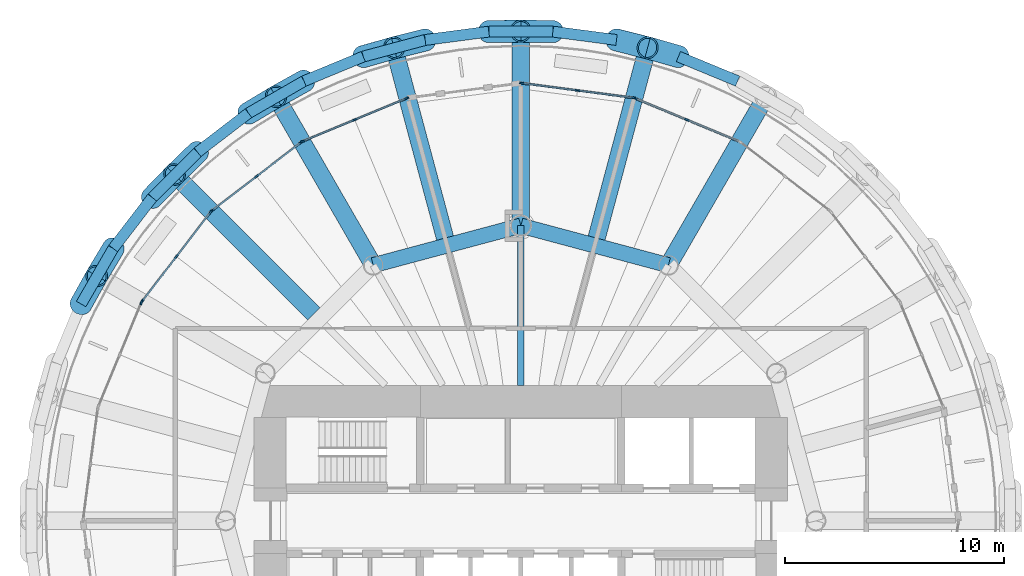
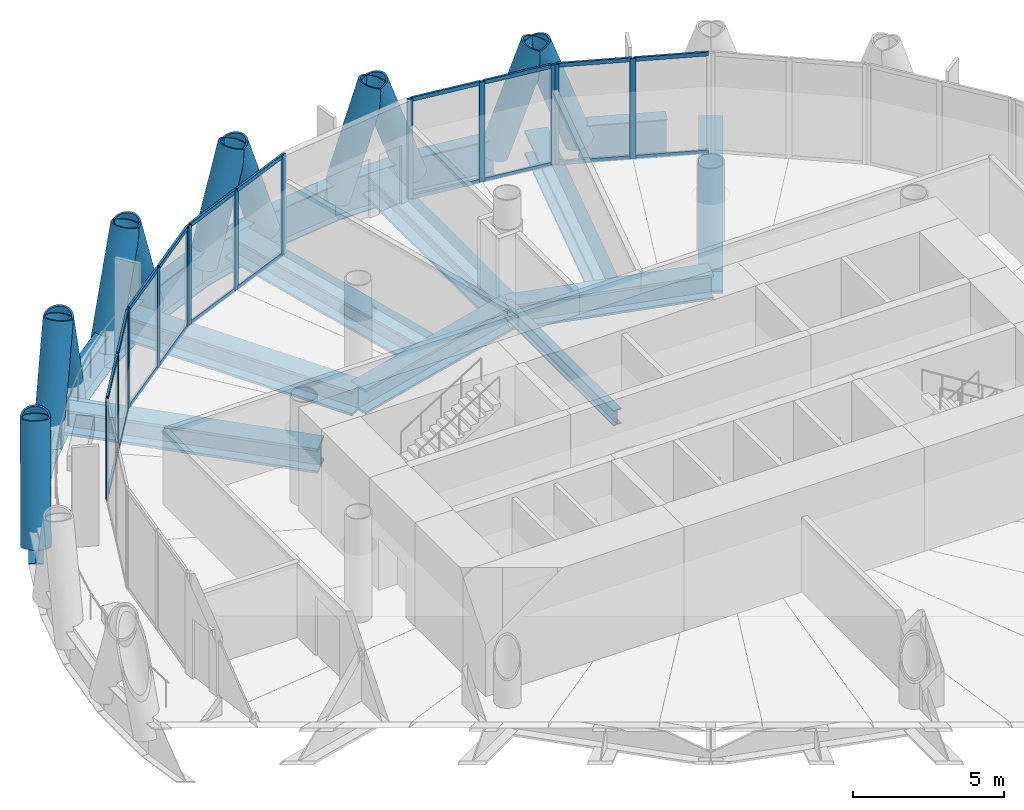
# One storey, part 5 of 14: 47 members, 20 beams, 6 elements without a shape of their own.
"""IFC4 building model written with IfcOpenShell, lengths in metres."""

from ifc_helpers import new_model, si_unit, direction, frame, origin, origin_2d, place, context, subcontext, project, spatial, rectangle, hollow_circle, i_section, extrude, material, material_profile, profile_set, type_object, element, aggregate, save


model = new_model("IFC4")

# Units and contexts
model_context = context("Model", 3, precision=1e-05, world=origin(), true_north=direction((0.0, 1.0)))
body_context = subcontext(model_context, "Body", "Model", "MODEL_VIEW")
ifc_project = project(units=[si_unit("LENGTHUNIT", "METRE"), si_unit("AREAUNIT", "SQUARE_METRE"), si_unit("VOLUMEUNIT", "CUBIC_METRE"), si_unit("PLANEANGLEUNIT", "RADIAN"), si_unit("MASSUNIT", "GRAM", prefix="KILO")], contexts=[model_context])

# Site, building, storey
site_placement = place(None, origin())
site = spatial("IfcSite", under=ifc_project, at=site_placement, CompositionType="ELEMENT")
building_placement = place(site_placement, origin())
building = spatial("IfcBuilding", under=site, at=building_placement, Name="Qaws Media Tower", CompositionType="ELEMENT")
storey_placement = place(building_placement, frame((0.0, 0.0, 240.199951171875)))
storey = spatial("IfcBuildingStorey", under=building, at=storey_placement, Name="L55", CompositionType="ELEMENT", Elevation=240.199951171875)

# Curtain wall, members
ifc_material_1 = material(Name="Aluminium and clear glass", Category="aluminium")
curtain_wall_type = type_object("IfcCurtainWallType", Name="Unitised curtain wall CW-C", PredefinedType="NOTDEFINED", material=ifc_material_1)
curtain_wall_1_placement = place(storey_placement, origin())
curtain_wall_1 = element("IfcCurtainWall", 1, at=curtain_wall_1_placement, inside=storey, type_object=curtain_wall_type, Name="CWC curtain wall L55-05", PredefinedType="NOTDEFINED")
ifc_material_2 = material(Name="Aluminium mullion", Category="aluminium")
ifc_material_profile_1 = material_profile(ifc_material_2, rectangle(XDim=0.080078125, YDim=0.199951171875, at=origin_2d()), Name="80x200")
ifc_profile_set_1 = profile_set([ifc_material_profile_1], Name="Aluminium mullion")
member_type_1 = type_object("IfcMemberType", Name="Curtain wall mullion 80x200", PredefinedType="MULLION", material=ifc_profile_set_1)
member_1_placement = place(storey_placement, frame((67.59765625, 68.342529296875, 0.0), z_axis=(0.0, 0.0, 1.0), x_axis=(-0.382683413209, -0.923879540446, 0.0)))
member_1 = element("IfcMember", 2, at=member_1_placement, type_object=member_type_1, Name="CWC mullion 2", PredefinedType="MULLION", context=body_context, shape_type="SweptSolid", body=[
    extrude(rectangle(XDim=0.080078125, YDim=0.199951171875, at=origin_2d()), origin(), (0.0, 0.0, 1.0), 4.0400390625),
])
member_2_placement = place(storey_placement, frame((65.2197265625, 69.327392578125, 0.0), z_axis=(0.0, 0.0, 1.0), x_axis=(-0.382683413209, -0.923879540446, 0.0)))
member_2 = element("IfcMember", 3, at=member_2_placement, type_object=member_type_1, Name="CWC mullion 3", PredefinedType="MULLION", context=body_context, shape_type="SweptSolid", body=[
    extrude(rectangle(XDim=0.080078125, YDim=0.199951171875, at=origin_2d()), origin(), (0.0, 0.0, 1.0), 4.0400390625),
])

curtain_wall_2_placement = place(storey_placement, origin())
curtain_wall_2 = element("IfcCurtainWall", 4, at=curtain_wall_2_placement, inside=storey, type_object=curtain_wall_type, Name="CWC curtain wall L55-06", PredefinedType="NOTDEFINED")
member_3_placement = place(storey_placement, frame((65.143310546875, 69.347900390625, 0.0), z_axis=(0.0, 0.0, 1.0), x_axis=(-0.130526139806, -0.991444868274, 0.0)))
member_3 = element("IfcMember", 5, at=member_3_placement, type_object=member_type_1, Name="CWC mullion 1", PredefinedType="MULLION", context=body_context, shape_type="SweptSolid", body=[
    extrude(rectangle(XDim=0.080078125, YDim=0.199951171875, at=origin_2d()), origin(), (0.0, 0.0, 1.0), 4.0400390625),
])
member_4_placement = place(storey_placement, frame((62.59130859375, 69.683837890625, 0.0), z_axis=(0.0, 0.0, 1.0), x_axis=(-0.130526139806, -0.991444868274, 0.0)))
member_4 = element("IfcMember", 6, at=member_4_placement, type_object=member_type_1, Name="CWC mullion 2", PredefinedType="MULLION", context=body_context, shape_type="SweptSolid", body=[
    extrude(rectangle(XDim=0.080078125, YDim=0.199951171875, at=origin_2d()), origin(), (0.0, 0.0, 1.0), 4.0400390625),
])
member_5_placement = place(storey_placement, frame((60.03955078125, 70.019775390625, 0.0), z_axis=(0.0, 0.0, 1.0), x_axis=(-0.130526139806, -0.991444868274, 0.0)))
member_5 = element("IfcMember", 7, at=member_5_placement, type_object=member_type_1, Name="CWC mullion 3", PredefinedType="MULLION", context=body_context, shape_type="SweptSolid", body=[
    extrude(rectangle(XDim=0.080078125, YDim=0.199951171875, at=origin_2d()), origin(), (0.0, 0.0, 1.0), 4.0400390625),
])

curtain_wall_3_placement = place(storey_placement, origin())
curtain_wall_3 = element("IfcCurtainWall", 8, at=curtain_wall_3_placement, inside=storey, type_object=curtain_wall_type, Name="CWC curtain wall L55-08", PredefinedType="NOTDEFINED")
member_6_placement = place(storey_placement, frame((54.7802734375, 69.327392578125, 0.0), z_axis=(0.0, 0.0, 1.0), x_axis=(0.382683413209, -0.923879540446, 0.0)))
member_6 = element("IfcMember", 9, at=member_6_placement, type_object=member_type_1, Name="CWC mullion 1", PredefinedType="MULLION", context=body_context, shape_type="SweptSolid", body=[
    extrude(rectangle(XDim=0.080078125, YDim=0.199951171875, at=origin_2d()), origin(), (0.0, 0.0, 1.0), 4.0400390625),
])
member_7_placement = place(storey_placement, frame((52.40234375, 68.342529296875, 0.0), z_axis=(0.0, 0.0, 1.0), x_axis=(0.382683413209, -0.923879540446, 0.0)))
member_7 = element("IfcMember", 10, at=member_7_placement, type_object=member_type_1, Name="CWC mullion 2", PredefinedType="MULLION", context=body_context, shape_type="SweptSolid", body=[
    extrude(rectangle(XDim=0.080078125, YDim=0.199951171875, at=origin_2d()), origin(), (0.0, 0.0, 1.0), 4.0400390625),
])
member_8_placement = place(storey_placement, frame((50.0244140625, 67.357421875, 0.0), z_axis=(0.0, 0.0, 1.0), x_axis=(0.382683413209, -0.923879540446, 0.0)))
member_8 = element("IfcMember", 11, at=member_8_placement, type_object=member_type_1, Name="CWC mullion 3", PredefinedType="MULLION", context=body_context, shape_type="SweptSolid", body=[
    extrude(rectangle(XDim=0.080078125, YDim=0.199951171875, at=origin_2d()), origin(), (0.0, 0.0, 1.0), 4.0400390625),
])

curtain_wall_4_placement = place(storey_placement, origin())
curtain_wall_4 = element("IfcCurtainWall", 12, at=curtain_wall_4_placement, inside=storey, type_object=curtain_wall_type, Name="CWC curtain wall L55-09", PredefinedType="NOTDEFINED")
member_9_placement = place(storey_placement, frame((49.955810546875, 67.31787109375, 0.0), z_axis=(0.0, 0.0, 1.0), x_axis=(0.60876152624, -0.793353265683, 0.0)))
member_9 = element("IfcMember", 13, at=member_9_placement, type_object=member_type_1, Name="CWC mullion 1", PredefinedType="MULLION", context=body_context, shape_type="SweptSolid", body=[
    extrude(rectangle(XDim=0.080078125, YDim=0.199951171875, at=origin_2d()), origin(), (0.0, 0.0, 1.0), 4.0400390625),
])
member_10_placement = place(storey_placement, frame((47.913818359375, 65.7509765625, 0.0), z_axis=(0.0, 0.0, 1.0), x_axis=(0.60876152624, -0.793353265683, 0.0)))
member_10 = element("IfcMember", 14, at=member_10_placement, type_object=member_type_1, Name="CWC mullion 2", PredefinedType="MULLION", context=body_context, shape_type="SweptSolid", body=[
    extrude(rectangle(XDim=0.080078125, YDim=0.199951171875, at=origin_2d()), origin(), (0.0, 0.0, 1.0), 4.0400390625),
])
member_11_placement = place(storey_placement, frame((45.871826171875, 64.18408203125, 0.0), z_axis=(0.0, 0.0, 1.0), x_axis=(0.60876152624, -0.793353265683, 0.0)))
member_11 = element("IfcMember", 15, at=member_11_placement, type_object=member_type_1, Name="CWC mullion 3", PredefinedType="MULLION", context=body_context, shape_type="SweptSolid", body=[
    extrude(rectangle(XDim=0.080078125, YDim=0.199951171875, at=origin_2d()), origin(), (0.0, 0.0, 1.0), 4.0400390625),
])

curtain_wall_5_placement = place(storey_placement, origin())
curtain_wall_5 = element("IfcCurtainWall", 16, at=curtain_wall_5_placement, inside=storey, type_object=curtain_wall_type, Name="CWC curtain wall L55-10", PredefinedType="NOTDEFINED")
member_12_placement = place(storey_placement, frame((45.81591796875, 64.128173828125, 0.0), z_axis=(0.0, 0.0, 1.0), x_axis=(0.793353265683, -0.60876152624, 0.0)))
member_12 = element("IfcMember", 17, at=member_12_placement, type_object=member_type_1, Name="CWC mullion 1", PredefinedType="MULLION", context=body_context, shape_type="SweptSolid", body=[
    extrude(rectangle(XDim=0.080078125, YDim=0.199951171875, at=origin_2d()), origin(), (0.0, 0.0, 1.0), 4.0400390625),
])
member_13_placement = place(storey_placement, frame((44.2490234375, 62.086181640625, 0.0), z_axis=(0.0, 0.0, 1.0), x_axis=(0.793353265683, -0.60876152624, 0.0)))
member_13 = element("IfcMember", 18, at=member_13_placement, type_object=member_type_1, Name="CWC mullion 2", PredefinedType="MULLION", context=body_context, shape_type="SweptSolid", body=[
    extrude(rectangle(XDim=0.080078125, YDim=0.199951171875, at=origin_2d()), origin(), (0.0, 0.0, 1.0), 4.0400390625),
])
member_14_placement = place(storey_placement, frame((42.68212890625, 60.044189453125, 0.0), z_axis=(0.0, 0.0, 1.0), x_axis=(0.793353265683, -0.60876152624, 0.0)))
member_14 = element("IfcMember", 19, at=member_14_placement, type_object=member_type_1, Name="CWC mullion 3", PredefinedType="MULLION", context=body_context, shape_type="SweptSolid", body=[
    extrude(rectangle(XDim=0.080078125, YDim=0.199951171875, at=origin_2d()), origin(), (0.0, 0.0, 1.0), 4.0400390625),
])

# Curtain wall, member
curtain_wall_6_placement = place(storey_placement, origin())
curtain_wall_6 = element("IfcCurtainWall", 20, at=curtain_wall_6_placement, inside=storey, type_object=curtain_wall_type, Name="CWC curtain wall L55-11", PredefinedType="NOTDEFINED")
member_15_placement = place(storey_placement, frame((42.642578125, 59.9755859375, 0.0), z_axis=(0.0, 0.0, 1.0), x_axis=(0.923879540446, -0.382683413209, 0.0)))
member_15 = element("IfcMember", 21, at=member_15_placement, type_object=member_type_1, Name="CWC mullion 1", PredefinedType="MULLION", context=body_context, shape_type="SweptSolid", body=[
    extrude(rectangle(XDim=0.080078125, YDim=0.199951171875, at=origin_2d()), origin(), (0.0, 0.0, 1.0), 4.0400390625),
])
aggregate(curtain_wall_6, [member_15])

# Member
ifc_material_3 = material(Name="Aluminium transom", Category="aluminium")
ifc_material_profile_2 = material_profile(ifc_material_3, rectangle(XDim=0.080078125, YDim=0.159912109375, at=origin_2d()), Name="80x160")
ifc_profile_set_2 = profile_set([ifc_material_profile_2], Name="Aluminium transom")
member_type_2 = type_object("IfcMemberType", Name="Curtain wall transom 80x160", PredefinedType="USERDEFINED", material=ifc_profile_set_2)
member_16_placement = place(storey_placement, frame((69.9384765625, 67.372802734375, 0.0400390625), z_axis=(-0.923877226878, 0.382688998608, 0.0), x_axis=(-0.382688998608, -0.923877226878, 0.0)))
member_16 = element("IfcMember", 22, at=member_16_placement, type_object=member_type_2, Name="CWC transom 1.1", ObjectType="TRANSOM", PredefinedType="USERDEFINED", context=body_context, shape_type="SweptSolid", body=[
    extrude(rectangle(XDim=0.080078125, YDim=0.159912109375, at=origin_2d()), origin(), (0.0, 0.0, 1.0), 2.493896484375),
])

member_17_placement = place(storey_placement, frame((69.9384765625, 67.372802734375, 4.0), z_axis=(-0.923877226878, 0.382688998608, 0.0), x_axis=(-0.382688998608, -0.923877226878, 0.0)))
member_17 = element("IfcMember", 23, at=member_17_placement, type_object=member_type_2, Name="CWC transom 1.2", ObjectType="TRANSOM", PredefinedType="USERDEFINED", context=body_context, shape_type="SweptSolid", body=[
    extrude(rectangle(XDim=0.080078125, YDim=0.159912109375, at=origin_2d()), origin(), (0.0, 0.0, 1.0), 2.493896484375),
])

member_18_placement = place(storey_placement, frame((67.560791015625, 68.357666015625, 0.0400390625), z_axis=(-0.923877226878, 0.382688998608, 0.0), x_axis=(-0.382688998608, -0.923877226878, 0.0)))
member_18 = element("IfcMember", 24, at=member_18_placement, type_object=member_type_2, Name="CWC transom 2.1", ObjectType="TRANSOM", PredefinedType="USERDEFINED", context=body_context, shape_type="SweptSolid", body=[
    extrude(rectangle(XDim=0.080078125, YDim=0.159912109375, at=origin_2d()), origin(), (0.0, 0.0, 1.0), 2.493896484375),
])

member_19_placement = place(storey_placement, frame((67.560791015625, 68.357666015625, 4.0), z_axis=(-0.923877226878, 0.382688998608, 0.0), x_axis=(-0.382688998608, -0.923877226878, 0.0)))
member_19 = element("IfcMember", 25, at=member_19_placement, type_object=member_type_2, Name="CWC transom 2.2", ObjectType="TRANSOM", PredefinedType="USERDEFINED", context=body_context, shape_type="SweptSolid", body=[
    extrude(rectangle(XDim=0.080078125, YDim=0.159912109375, at=origin_2d()), origin(), (0.0, 0.0, 1.0), 2.493896484375),
])

aggregate(curtain_wall_1, [member_1, member_2, member_16, member_17, member_18, member_19])

member_20_placement = place(storey_placement, frame((65.103515625, 69.35302734375, 0.0400390625), z_axis=(-0.991435291463, 0.13059886233, 0.0), x_axis=(-0.13059886233, -0.991435291463, 0.0)))
member_20 = element("IfcMember", 26, at=member_20_placement, type_object=member_type_2, Name="CWC transom 1.1", ObjectType="TRANSOM", PredefinedType="USERDEFINED", context=body_context, shape_type="SweptSolid", body=[
    extrude(rectangle(XDim=0.080078125, YDim=0.159912109375, at=origin_2d()), origin(), (0.0, 0.0, 1.0), 2.49365234375),
])

member_21_placement = place(storey_placement, frame((65.103515625, 69.35302734375, 4.0), z_axis=(-0.991435291463, 0.13059886233, 0.0), x_axis=(-0.13059886233, -0.991435291463, 0.0)))
member_21 = element("IfcMember", 27, at=member_21_placement, type_object=member_type_2, Name="CWC transom 1.2", ObjectType="TRANSOM", PredefinedType="USERDEFINED", context=body_context, shape_type="SweptSolid", body=[
    extrude(rectangle(XDim=0.080078125, YDim=0.159912109375, at=origin_2d()), origin(), (0.0, 0.0, 1.0), 2.49365234375),
])

member_22_placement = place(storey_placement, frame((62.5517578125, 69.68896484375, 0.0400390625), z_axis=(-0.991435291463, 0.13059886233, 0.0), x_axis=(-0.13059886233, -0.991435291463, 0.0)))
member_22 = element("IfcMember", 28, at=member_22_placement, type_object=member_type_2, Name="CWC transom 2.1", ObjectType="TRANSOM", PredefinedType="USERDEFINED", context=body_context, shape_type="SweptSolid", body=[
    extrude(rectangle(XDim=0.080078125, YDim=0.159912109375, at=origin_2d()), origin(), (0.0, 0.0, 1.0), 2.49365234375),
])

member_23_placement = place(storey_placement, frame((62.5517578125, 69.68896484375, 4.0), z_axis=(-0.991435291463, 0.13059886233, 0.0), x_axis=(-0.13059886233, -0.991435291463, 0.0)))
member_23 = element("IfcMember", 29, at=member_23_placement, type_object=member_type_2, Name="CWC transom 2.2", ObjectType="TRANSOM", PredefinedType="USERDEFINED", context=body_context, shape_type="SweptSolid", body=[
    extrude(rectangle(XDim=0.080078125, YDim=0.159912109375, at=origin_2d()), origin(), (0.0, 0.0, 1.0), 2.49365234375),
])

aggregate(curtain_wall_2, [member_3, member_4, member_5, member_20, member_21, member_22, member_23])

member_24_placement = place(storey_placement, frame((54.7431640625, 69.31201171875, 0.0400390625), z_axis=(-0.923877226878, -0.382688998608, 0.0), x_axis=(0.382688998608, -0.923877226878, 0.0)))
member_24 = element("IfcMember", 30, at=member_24_placement, type_object=member_type_2, Name="CWC transom 1.1", ObjectType="TRANSOM", PredefinedType="USERDEFINED", context=body_context, shape_type="SweptSolid", body=[
    extrude(rectangle(XDim=0.080078125, YDim=0.159912109375, at=origin_2d()), origin(), (0.0, 0.0, 1.0), 2.493896484375),
])

member_25_placement = place(storey_placement, frame((54.7431640625, 69.31201171875, 4.0), z_axis=(-0.923877226878, -0.382688998608, 0.0), x_axis=(0.382688998608, -0.923877226878, 0.0)))
member_25 = element("IfcMember", 31, at=member_25_placement, type_object=member_type_2, Name="CWC transom 1.2", ObjectType="TRANSOM", PredefinedType="USERDEFINED", context=body_context, shape_type="SweptSolid", body=[
    extrude(rectangle(XDim=0.080078125, YDim=0.159912109375, at=origin_2d()), origin(), (0.0, 0.0, 1.0), 2.493896484375),
])

member_26_placement = place(storey_placement, frame((52.365478515625, 68.3271484375, 0.0400390625), z_axis=(-0.923877226878, -0.382688998608, 0.0), x_axis=(0.382688998608, -0.923877226878, 0.0)))
member_26 = element("IfcMember", 32, at=member_26_placement, type_object=member_type_2, Name="CWC transom 2.1", ObjectType="TRANSOM", PredefinedType="USERDEFINED", context=body_context, shape_type="SweptSolid", body=[
    extrude(rectangle(XDim=0.080078125, YDim=0.159912109375, at=origin_2d()), origin(), (0.0, 0.0, 1.0), 2.493896484375),
])

member_27_placement = place(storey_placement, frame((52.365478515625, 68.3271484375, 4.0), z_axis=(-0.923877226878, -0.382688998608, 0.0), x_axis=(0.382688998608, -0.923877226878, 0.0)))
member_27 = element("IfcMember", 33, at=member_27_placement, type_object=member_type_2, Name="CWC transom 2.2", ObjectType="TRANSOM", PredefinedType="USERDEFINED", context=body_context, shape_type="SweptSolid", body=[
    extrude(rectangle(XDim=0.080078125, YDim=0.159912109375, at=origin_2d()), origin(), (0.0, 0.0, 1.0), 2.493896484375),
])

aggregate(curtain_wall_3, [member_6, member_7, member_8, member_24, member_25, member_26, member_27])

member_28_placement = place(storey_placement, frame((49.924072265625, 67.29345703125, 0.0400390625), z_axis=(-0.793373099339, -0.608735677651, 0.0), x_axis=(0.608735677651, -0.793373099339, 0.0)))
member_28 = element("IfcMember", 34, at=member_28_placement, type_object=member_type_2, Name="CWC transom 1.1", ObjectType="TRANSOM", PredefinedType="USERDEFINED", context=body_context, shape_type="SweptSolid", body=[
    extrude(rectangle(XDim=0.080078125, YDim=0.159912109375, at=origin_2d()), origin(), (0.0, 0.0, 1.0), 2.493896484375),
])

member_29_placement = place(storey_placement, frame((49.924072265625, 67.29345703125, 4.0), z_axis=(-0.793373099339, -0.608735677651, 0.0), x_axis=(0.608735677651, -0.793373099339, 0.0)))
member_29 = element("IfcMember", 35, at=member_29_placement, type_object=member_type_2, Name="CWC transom 1.2", ObjectType="TRANSOM", PredefinedType="USERDEFINED", context=body_context, shape_type="SweptSolid", body=[
    extrude(rectangle(XDim=0.080078125, YDim=0.159912109375, at=origin_2d()), origin(), (0.0, 0.0, 1.0), 2.493896484375),
])

member_30_placement = place(storey_placement, frame((47.882080078125, 65.7265625, 0.0400390625), z_axis=(-0.793373099339, -0.608735677651, 0.0), x_axis=(0.608735677651, -0.793373099339, 0.0)))
member_30 = element("IfcMember", 36, at=member_30_placement, type_object=member_type_2, Name="CWC transom 2.1", ObjectType="TRANSOM", PredefinedType="USERDEFINED", context=body_context, shape_type="SweptSolid", body=[
    extrude(rectangle(XDim=0.080078125, YDim=0.159912109375, at=origin_2d()), origin(), (0.0, 0.0, 1.0), 2.493896484375),
])

member_31_placement = place(storey_placement, frame((47.882080078125, 65.7265625, 4.0), z_axis=(-0.793373099339, -0.608735677651, 0.0), x_axis=(0.608735677651, -0.793373099339, 0.0)))
member_31 = element("IfcMember", 37, at=member_31_placement, type_object=member_type_2, Name="CWC transom 2.2", ObjectType="TRANSOM", PredefinedType="USERDEFINED", context=body_context, shape_type="SweptSolid", body=[
    extrude(rectangle(XDim=0.080078125, YDim=0.159912109375, at=origin_2d()), origin(), (0.0, 0.0, 1.0), 2.493896484375),
])

aggregate(curtain_wall_4, [member_9, member_10, member_11, member_28, member_29, member_30, member_31])

member_32_placement = place(storey_placement, frame((45.79150390625, 64.096435546875, 0.0400390625), z_axis=(-0.608735677651, -0.793373099339, 0.0), x_axis=(0.793373099339, -0.608735677651, 0.0)))
member_32 = element("IfcMember", 38, at=member_32_placement, type_object=member_type_2, Name="CWC transom 1.1", ObjectType="TRANSOM", PredefinedType="USERDEFINED", context=body_context, shape_type="SweptSolid", body=[
    extrude(rectangle(XDim=0.080078125, YDim=0.159912109375, at=origin_2d()), origin(), (0.0, 0.0, 1.0), 2.493896484375),
])

member_33_placement = place(storey_placement, frame((45.79150390625, 64.096435546875, 4.0), z_axis=(-0.608735677651, -0.793373099339, 0.0), x_axis=(0.793373099339, -0.608735677651, 0.0)))
member_33 = element("IfcMember", 39, at=member_33_placement, type_object=member_type_2, Name="CWC transom 1.2", ObjectType="TRANSOM", PredefinedType="USERDEFINED", context=body_context, shape_type="SweptSolid", body=[
    extrude(rectangle(XDim=0.080078125, YDim=0.159912109375, at=origin_2d()), origin(), (0.0, 0.0, 1.0), 2.493896484375),
])

member_34_placement = place(storey_placement, frame((44.224609375, 62.054443359375, 0.0400390625), z_axis=(-0.608735677651, -0.793373099339, 0.0), x_axis=(0.793373099339, -0.608735677651, 0.0)))
member_34 = element("IfcMember", 40, at=member_34_placement, type_object=member_type_2, Name="CWC transom 2.1", ObjectType="TRANSOM", PredefinedType="USERDEFINED", context=body_context, shape_type="SweptSolid", body=[
    extrude(rectangle(XDim=0.080078125, YDim=0.159912109375, at=origin_2d()), origin(), (0.0, 0.0, 1.0), 2.493896484375),
])

member_35_placement = place(storey_placement, frame((44.224609375, 62.054443359375, 4.0), z_axis=(-0.608735677651, -0.793373099339, 0.0), x_axis=(0.793373099339, -0.608735677651, 0.0)))
member_35 = element("IfcMember", 41, at=member_35_placement, type_object=member_type_2, Name="CWC transom 2.2", ObjectType="TRANSOM", PredefinedType="USERDEFINED", context=body_context, shape_type="SweptSolid", body=[
    extrude(rectangle(XDim=0.080078125, YDim=0.159912109375, at=origin_2d()), origin(), (0.0, 0.0, 1.0), 2.493896484375),
])

aggregate(curtain_wall_5, [member_12, member_13, member_14, member_32, member_33, member_34, member_35])

# Members
ifc_material_4 = material(Name="Steel S460", Category="steel")
ifc_material_profile_3 = material_profile(ifc_material_4, hollow_circle(Radius=0.508056640625, WallThickness=0.070068359375, at=origin_2d()), Name="CHS 1016x70")
ifc_profile_set_3 = profile_set([ifc_material_profile_3], Name="Steel S460")
member_type_3 = type_object("IfcMemberType", Name="Diagrid member CHS 1016x70", PredefinedType="USERDEFINED", material=ifc_profile_set_3)
for number, where, z_axis, x_axis, name in (
    (42, (67.208251953125, 71.23486328125, -0.909912109375), (-0.317090892068, 0.090330842565, 0.944083526521), (-0.273973598637, -0.961737213198, 0.0), "DG3 diagrid L55 A05"),
    (43, (61.466552734375, 72.376953125, -0.909912109375), (-0.329659035617, 0.005158639812, 0.944085964662), (-0.015646494605, -0.999877586111, 0.0), "DG3 diagrid L55 A06"),
    (44, (64.375, 71.994140625, -0.909912109375), (0.319778699284, -0.080342546036, 0.944079794711), (0.243671181158, 0.969857904785, 0.0), "DG3 diagrid L55 B06"),
    (45, (55.625, 71.994140625, -0.909912109375), (-0.319778699284, -0.080342546036, 0.944079794711), (0.243671181158, -0.969857904785, 0.0), "DG3 diagrid L55 A07"),
    (46, (58.533447265625, 72.376953125, -0.909912109375), (0.329659035617, 0.005158639812, 0.944085964662), (-0.015646494605, 0.999877586111, 0.0), "DG3 diagrid L55 B07"),
    (47, (50.081787109375, 70.1123046875, -0.909912109375), (-0.288112181147, -0.16035500825, 0.944075019479), (0.486321083339, -0.873780180537, 0.0), "DG3 diagrid L55 A08"),
    (48, (52.791748046875, 71.23486328125, -0.909912109375), (0.317090892068, 0.090330842565, 0.944083526521), (-0.273973598637, 0.961737213198, 0.0), "DG3 diagrid L55 B08"),
    (49, (45.214111328125, 66.860107421875, -0.909912109375), (-0.236746203151, -0.229502230315, 0.944076247754), (0.696036655886, -0.718006249042, 0.0), "DG3 diagrid L55 A09"),
    (50, (47.541259765625, 68.645751953125, -0.909912109375), (0.282953184863, 0.16929995642, 0.944073630567), (-0.513442929839, 0.858123742707, 0.0), "DG3 diagrid L55 B09"),
    (51, (41.354248046875, 62.458740234375, -0.909912109375), (-0.16929995642, -0.282953184863, 0.944073630567), (0.858123742707, -0.513442929839, 0.0), "DG3 diagrid L55 A10"),
    (52, (43.139892578125, 64.785888671875, -0.909912109375), (0.229502230315, 0.236746203151, 0.944076247754), (-0.718006249042, 0.696036655886, 0.0), "DG3 diagrid L55 B10"),
    (53, (39.8876953125, 59.918212890625, -0.909912109375), (0.16035500825, 0.288112181147, 0.944075019479), (-0.873780180537, 0.486321083339, 0.0), "DG3 diagrid L55 B11"),
):
    element("IfcMember", number, at=place(storey_placement, frame(where, z_axis=z_axis, x_axis=x_axis)), inside=storey, type_object=member_type_3, Name=name, ObjectType="DIAGRID", PredefinedType="USERDEFINED", context=body_context, shape_type="SweptSolid", body=[
        extrude(hollow_circle(Radius=0.508056640625, WallThickness=0.070068359375, at=origin_2d()), origin(), (0.0, 0.0, 1.0), 4.44873046875),
    ])

# Beams
ifc_material_5 = material(Name="Steel S460", Category="steel")
ifc_material_profile_4 = material_profile(ifc_material_5, i_section(OverallWidth=0.5, OverallDepth=1.5, WebThickness=0.02001953125, FlangeThickness=0.0400390625, at=origin_2d()), Name="PG 1500x500")
ifc_profile_set_4 = profile_set([ifc_material_profile_4], Name="Steel S460")
beam_type_1 = type_object("IfcBeamType", Name="Edge ring beam PG 1500x500", PredefinedType="BEAM", material=ifc_profile_set_4)
beam_1_placement = place(storey_placement, frame((69.918212890625, 70.1123046875, -0.909912109375), z_axis=(-0.923872780145, 0.382699733613, 0.0), x_axis=(-0.382699733613, -0.923872780145, 0.0)))
element("IfcBeam", 54, at=beam_1_placement, inside=storey, type_object=beam_type_1, Name="RB4 edge ring beam L55-09", PredefinedType="BEAM", context=body_context, shape_type="SweptSolid", body=[
    extrude(i_section(OverallWidth=0.5, OverallDepth=1.5, WebThickness=0.02001953125, FlangeThickness=0.0400390625, at=origin_2d()), origin(), (0.0, 0.0, 1.0), 2.933349609375),
])
beam_2_placement = place(storey_placement, frame((64.375, 71.994140625, -0.909912109375), z_axis=(-0.991448912608, 0.130495416349, 0.0), x_axis=(-0.130495416349, -0.991448912608, 0.0)))
element("IfcBeam", 55, at=beam_2_placement, inside=storey, type_object=beam_type_1, Name="RB4 edge ring beam L55-11", PredefinedType="BEAM", context=body_context, shape_type="SweptSolid", body=[
    extrude(i_section(OverallWidth=0.5, OverallDepth=1.5, WebThickness=0.02001953125, FlangeThickness=0.0400390625, at=origin_2d()), origin(), (0.0, 0.0, 1.0), 2.93359375),
])
beam_3_placement = place(storey_placement, frame((61.466552734375, 72.376953125, -0.909912109375), z_axis=(-1.0, 0.0, 0.0), x_axis=(0.0, -1.0, 0.0)))
element("IfcBeam", 56, at=beam_3_placement, inside=storey, type_object=beam_type_1, Name="RB4 edge ring beam L55-12", PredefinedType="BEAM", context=body_context, shape_type="SweptSolid", body=[
    extrude(i_section(OverallWidth=0.5, OverallDepth=1.5, WebThickness=0.02001953125, FlangeThickness=0.0400390625, at=origin_2d()), origin(), (0.0, 0.0, 1.0), 2.93310546875),
])
beam_4_placement = place(storey_placement, frame((58.533447265625, 72.376953125, -0.909912109375), z_axis=(-0.991448912608, -0.130495416349, 0.0), x_axis=(0.130495416349, -0.991448912608, 0.0)))
element("IfcBeam", 57, at=beam_4_placement, inside=storey, type_object=beam_type_1, Name="RB4 edge ring beam L55-13", PredefinedType="BEAM", context=body_context, shape_type="SweptSolid", body=[
    extrude(i_section(OverallWidth=0.5, OverallDepth=1.5, WebThickness=0.02001953125, FlangeThickness=0.0400390625, at=origin_2d()), origin(), (0.0, 0.0, 1.0), 2.93359375),
])
beam_5_placement = place(storey_placement, frame((55.625, 71.994140625, -0.909912109375), z_axis=(-0.965916469839, -0.258853961327, 0.0), x_axis=(0.258853961327, -0.965916469839, 0.0)))
element("IfcBeam", 58, at=beam_5_placement, inside=storey, type_object=beam_type_1, Name="RB4 edge ring beam L55-14", PredefinedType="BEAM", context=body_context, shape_type="SweptSolid", body=[
    extrude(i_section(OverallWidth=0.5, OverallDepth=1.5, WebThickness=0.02001953125, FlangeThickness=0.0400390625, at=origin_2d()), origin(), (0.0, 0.0, 1.0), 2.93310546875),
])
for number, where, z_axis, x_axis, name in (
    (59, (52.791748046875, 71.23486328125, -0.909912109375), (-0.923872780145, -0.382699733613, 0.0), (0.382699733613, -0.923872780145, 0.0), "RB4 edge ring beam L55-15"),
    (60, (50.081787109375, 70.1123046875, -0.909912109375), (-0.866058085077, -0.499943390069, 0.0), (0.499943390069, -0.866058085077, 0.0), "RB4 edge ring beam L55-16"),
    (61, (47.541259765625, 68.645751953125, -0.909912109375), (-0.793359806004, -0.608753002635, 0.0), (0.608753002635, -0.793359806004, 0.0), "RB4 edge ring beam L55-17"),
    (62, (45.214111328125, 66.860107421875, -0.909912109375), (-0.707106781187, -0.707106781187, 0.0), (0.707106781187, -0.707106781187, 0.0), "RB4 edge ring beam L55-18"),
    (63, (43.139892578125, 64.785888671875, -0.909912109375), (-0.608753002635, -0.793359806004, 0.0), (0.793359806004, -0.608753002635, 0.0), "RB4 edge ring beam L55-19"),
    (64, (41.354248046875, 62.458740234375, -0.909912109375), (-0.499943390069, -0.866058085077, 0.0), (0.866058085077, -0.499943390069, 0.0), "RB4 edge ring beam L55-20"),
):
    element("IfcBeam", number, at=place(storey_placement, frame(where, z_axis=z_axis, x_axis=x_axis)), inside=storey, type_object=beam_type_1, Name=name, PredefinedType="BEAM", context=body_context, shape_type="SweptSolid", body=[
        extrude(i_section(OverallWidth=0.5, OverallDepth=1.5, WebThickness=0.02001953125, FlangeThickness=0.0400390625, at=origin_2d()), origin(), (0.0, 0.0, 1.0), 2.933349609375),
    ])
ifc_material_6 = material(Name="Steel S460", Category="steel")
ifc_material_profile_5 = material_profile(ifc_material_6, i_section(OverallWidth=0.699951171875, OverallDepth=1.0, WebThickness=0.034912109375, FlangeThickness=0.090087890625, at=origin_2d()), Name="PG 1000x700")
ifc_profile_set_5 = profile_set([ifc_material_profile_5], Name="Steel S460")
beam_type_2 = type_object("IfcBeamType", Name="Inner ring girder PG 1000x700", PredefinedType="BEAM", material=ifc_profile_set_5)
for number, where, z_axis, x_axis, name in (
    (65, (66.75, 61.69140625, -0.659912109375), (-0.965928090778, 0.258810593767, 0.0), (-0.258810593767, -0.965928090778, 0.0), "B3 inner ring beam L55 I03-I04"),
    (66, (60.0, 63.5, -0.659912109375), (-0.965928090778, -0.258810593767, 0.0), (0.258810593767, -0.965928090778, 0.0), "B3 inner ring beam L55 I04-I05"),
):
    element("IfcBeam", number, at=place(storey_placement, frame(where, z_axis=z_axis, x_axis=x_axis)), inside=storey, type_object=beam_type_2, Name=name, PredefinedType="BEAM", context=body_context, shape_type="SweptSolid", body=[
        extrude(i_section(OverallWidth=0.699951171875, OverallDepth=1.0, WebThickness=0.034912109375, FlangeThickness=0.090087890625, at=origin_2d()), origin(), (0.0, 0.0, 1.0), 6.988037109375),
    ])
ifc_material_7 = material(Name="Steel S355", Category="steel")
ifc_material_profile_6 = material_profile(ifc_material_7, i_section(OverallWidth=0.304931640625, OverallDepth=0.6201171875, WebThickness=0.02099609375, FlangeThickness=0.0400390625, FilletRadius=0.027099609375, at=origin_2d()), Name="HE 600 M")
ifc_profile_set_6 = profile_set([ifc_material_profile_6], Name="Steel S355")
beam_type_3 = type_object("IfcBeamType", Name="Radial beam HE 600 M, core side", PredefinedType="BEAM", material=ifc_profile_set_6)
beam_6_placement = place(storey_placement, frame((60.0, 56.199951171875, -0.469970703125), z_axis=(0.0, 1.0, 0.0), x_axis=(-1.0, 0.0, 0.0)))
element("IfcBeam", 67, at=beam_6_placement, inside=storey, type_object=beam_type_3, Name="B2 radial beam L55 07", PredefinedType="BEAM", context=body_context, shape_type="SweptSolid", body=[
    extrude(i_section(OverallWidth=0.304931640625, OverallDepth=0.6201171875, WebThickness=0.02099609375, FlangeThickness=0.0400390625, FilletRadius=0.027099609375, at=origin_2d()), origin(), (0.0, 0.0, 1.0), 7.300048828125),
])
ifc_material_8 = material(Name="Steel S460", Category="steel")
ifc_material_profile_7 = material_profile(ifc_material_8, i_section(OverallWidth=0.800048828125, OverallDepth=1.0, WebThickness=0.0400390625, FlangeThickness=0.10009765625, at=origin_2d()), Name="PG 1000x800")
ifc_profile_set_7 = profile_set([ifc_material_profile_7], Name="Steel S460")
beam_type_4 = type_object("IfcBeamType", Name="Radial girder PG 1000x800", PredefinedType="BEAM", material=ifc_profile_set_7)
beam_7_placement = place(storey_placement, frame((66.75, 61.69140625, -0.659912109375), z_axis=(0.499996232975, 0.866027578666, 0.0), x_axis=(-0.866027578666, 0.499996232975, 0.0)))
element("IfcBeam", 68, at=beam_7_placement, inside=storey, type_object=beam_type_4, Name="B1 radial beam L55 05", PredefinedType="BEAM", context=body_context, shape_type="SweptSolid", body=[
    extrude(i_section(OverallWidth=0.800048828125, OverallDepth=1.0, WebThickness=0.0400390625, FlangeThickness=0.10009765625, at=origin_2d()), origin(), (0.0, 0.0, 1.0), 8.876953125),
])
beam_8_placement = place(storey_placement, frame((63.465576171875, 62.933837890625, -0.659912109375), z_axis=(0.25881393812, 0.965927194687, 0.0), x_axis=(-0.965927194687, 0.25881393812, 0.0)))
element("IfcBeam", 69, at=beam_8_placement, inside=storey, type_object=beam_type_4, Name="B1 radial beam L55 06", PredefinedType="BEAM", context=body_context, shape_type="SweptSolid", body=[
    extrude(i_section(OverallWidth=0.800048828125, OverallDepth=1.0, WebThickness=0.0400390625, FlangeThickness=0.10009765625, at=origin_2d()), origin(), (0.0, 0.0, 1.0), 8.98681640625),
])
beam_9_placement = place(storey_placement, frame((60.0, 63.5, -0.659912109375), z_axis=(0.0, 1.0, 0.0), x_axis=(-1.0, 0.0, 0.0)))
element("IfcBeam", 70, at=beam_9_placement, inside=storey, type_object=beam_type_4, Name="B1 radial beam L55 07", PredefinedType="BEAM", context=body_context, shape_type="SweptSolid", body=[
    extrude(i_section(OverallWidth=0.800048828125, OverallDepth=1.0, WebThickness=0.0400390625, FlangeThickness=0.10009765625, at=origin_2d()), origin(), (0.0, 0.0, 1.0), 8.876953125),
])
beam_10_placement = place(storey_placement, frame((56.534423828125, 62.933837890625, -0.659912109375), z_axis=(-0.25881393812, 0.965927194687, 0.0), x_axis=(-0.965927194687, -0.25881393812, 0.0)))
element("IfcBeam", 71, at=beam_10_placement, inside=storey, type_object=beam_type_4, Name="B1 radial beam L55 08", PredefinedType="BEAM", context=body_context, shape_type="SweptSolid", body=[
    extrude(i_section(OverallWidth=0.800048828125, OverallDepth=1.0, WebThickness=0.0400390625, FlangeThickness=0.10009765625, at=origin_2d()), origin(), (0.0, 0.0, 1.0), 8.98681640625),
])
beam_11_placement = place(storey_placement, frame((53.25, 61.69140625, -0.659912109375), z_axis=(-0.499996232975, 0.866027578666, 0.0), x_axis=(-0.866027578666, -0.499996232975, 0.0)))
element("IfcBeam", 72, at=beam_11_placement, inside=storey, type_object=beam_type_4, Name="B1 radial beam L55 09", PredefinedType="BEAM", context=body_context, shape_type="SweptSolid", body=[
    extrude(i_section(OverallWidth=0.800048828125, OverallDepth=1.0, WebThickness=0.0400390625, FlangeThickness=0.10009765625, at=origin_2d()), origin(), (0.0, 0.0, 1.0), 8.876953125),
])
beam_12_placement = place(storey_placement, frame((50.53173828125, 59.46826171875, -0.659912109375), z_axis=(-0.707106781187, 0.707106781187, 0.0), x_axis=(-0.707106781187, -0.707106781187, 0.0)))
element("IfcBeam", 73, at=beam_12_placement, inside=storey, type_object=beam_type_4, Name="B1 radial beam L55 10", PredefinedType="BEAM", context=body_context, shape_type="SweptSolid", body=[
    extrude(i_section(OverallWidth=0.800048828125, OverallDepth=1.0, WebThickness=0.0400390625, FlangeThickness=0.10009765625, at=origin_2d()), origin(), (0.0, 0.0, 1.0), 8.987060546875),
])

save(model, "model.ifc")
